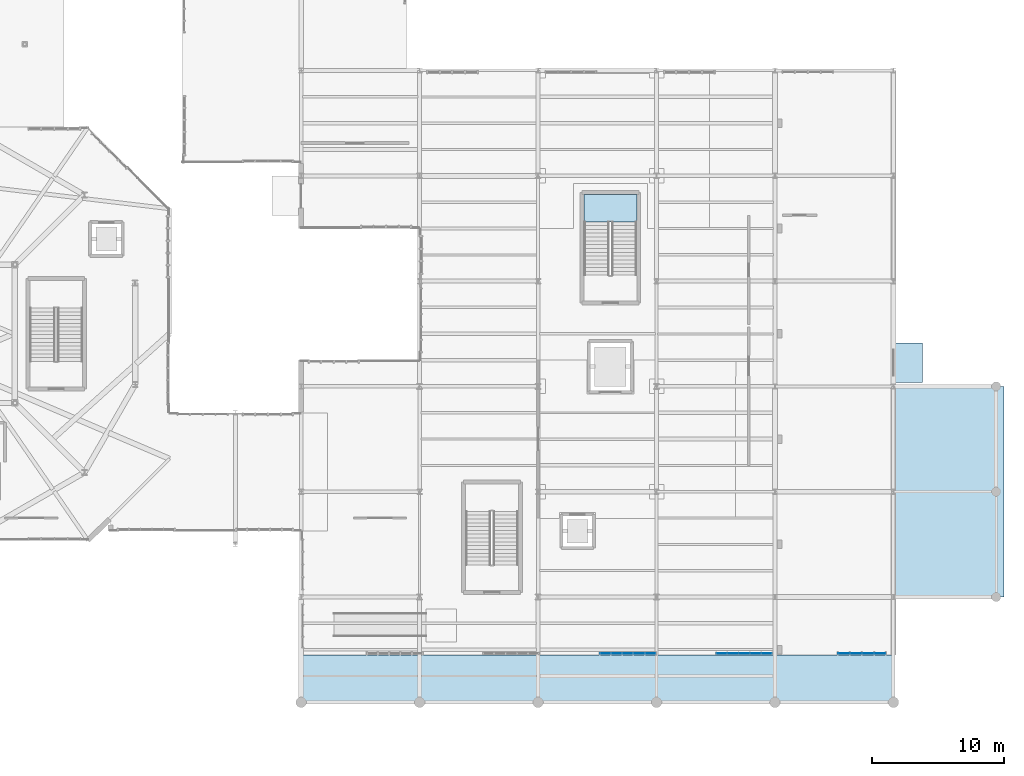
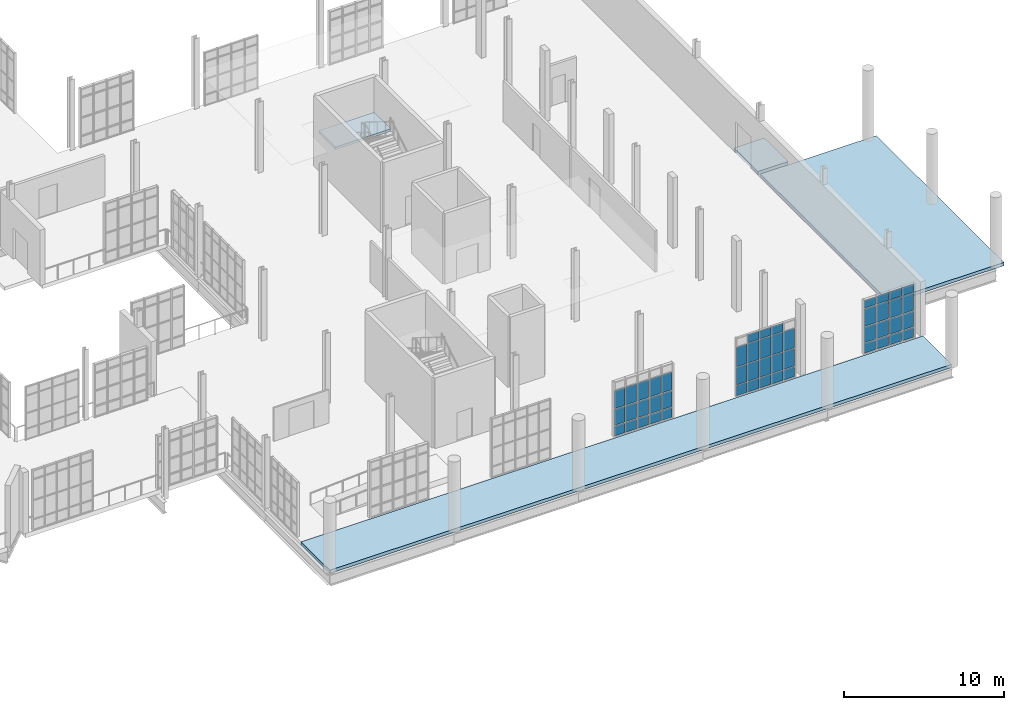
# One storey, part 163 of 189: 49 plates, 4 slabs, 4 elements without a shape of their own.
"""IFC4 building model written with IfcOpenShell, lengths in metres."""

from ifc_helpers import new_model, si_unit, direction, frame, origin, origin_2d, place, context, subcontext, project, spatial, polyline, rectangle, outline, extrude, material, layer, layer_set, type_object, element, aggregate, save


model = new_model("IFC4")

# Units and contexts
model_context = context("Model", 3, precision=1e-05, world=origin(), true_north=direction((0.0, 1.0)))
body_context = subcontext(model_context, "Body", "Model", "MODEL_VIEW")
ifc_project = project(units=[si_unit("LENGTHUNIT", "METRE"), si_unit("AREAUNIT", "SQUARE_METRE"), si_unit("VOLUMEUNIT", "CUBIC_METRE"), si_unit("PLANEANGLEUNIT", "RADIAN"), si_unit("MASSUNIT", "GRAM", prefix="KILO"), si_unit("THERMODYNAMICTEMPERATUREUNIT", "KELVIN"), si_unit("POWERUNIT", "WATT")], contexts=[model_context])

# Site, building, storey
site_placement = place(None, origin())
site = spatial("IfcSite", under=ifc_project, at=site_placement, CompositionType="ELEMENT")
building_placement = place(site_placement, origin())
building = spatial("IfcBuilding", under=site, at=building_placement, Name="Zelmaris Science Centre", CompositionType="ELEMENT")
storey_placement = place(building_placement, origin())
storey = spatial("IfcBuildingStorey", under=building, at=storey_placement, Name="L00", CompositionType="ELEMENT", Elevation=0.0)

# Curtain wall, plates
ifc_material_1 = material(Name="Anodised architectural aluminium 6063-T6", Category="aluminium")
ifc_layer_1 = layer(ifc_material_1, 0.18994140625, Name="Anodised architectural aluminium 6063-T6")
ifc_layer_set_1 = layer_set([ifc_layer_1], Name="Anodised architectural aluminium 6063-T6")
curtain_wall_type_1 = type_object("IfcCurtainWallType", Name="Curtain Wall CW-01", PredefinedType="USERDEFINED", material=ifc_layer_set_1)
curtain_wall_1_placement = place(storey_placement, origin())
curtain_wall_1 = element("IfcCurtainWall", 1, at=curtain_wall_1_placement, inside=storey, type_object=curtain_wall_type_1, Name="L00 Unitised curtain wall 101", ObjectType="GLAZED CURTAIN WALL", PredefinedType="USERDEFINED")
ifc_material_2 = material(Name="Laminated hurricane-rated low-E insulated glazing", Category="glass")
ifc_layer_2 = layer(ifc_material_2, 0.031982421875, Name="Laminated hurricane-rated low-E insulated glazing")
ifc_layer_set_2 = layer_set([ifc_layer_2], Name="Laminated hurricane-rated low-E insulated glazing")
plate_type_1 = type_object("IfcPlateType", Name="Curtain Glazing Panel CWP-1 32mm", PredefinedType="CURTAIN_PANEL", material=ifc_layer_set_2)
plate_1_placement = place(storey_placement, frame((151.976318359375, 11.72021484375, 0.05712890625), z_axis=(0.0, 0.0, 1.0), x_axis=(-1.0, 0.0, 0.0)))
plate_1 = element("IfcPlate", 2, at=plate_1_placement, type_object=plate_type_1, Name="CW-01 panel 1.1", PredefinedType="CURTAIN_PANEL", context=body_context, shape_type="SweptSolid", body=[
    extrude(rectangle(XDim=0.8232421875, YDim=0.031982421875, at=origin_2d()), origin(), (0.0, 0.0, 1.0), 0.741943359375),
])
plate_2_placement = place(storey_placement, frame((151.976318359375, 11.72021484375, 0.87109375), z_axis=(0.0, 0.0, 1.0), x_axis=(-1.0, 0.0, 0.0)))
plate_2 = element("IfcPlate", 3, at=plate_2_placement, type_object=plate_type_1, Name="CW-01 panel 1.2", PredefinedType="CURTAIN_PANEL", context=body_context, shape_type="SweptSolid", body=[
    extrude(rectangle(XDim=0.8232421875, YDim=0.031982421875, at=origin_2d()), origin(), (0.0, 0.0, 1.0), 1.16845703125),
])
plate_3_placement = place(storey_placement, frame((151.976318359375, 11.72021484375, 2.111328125), z_axis=(0.0, 0.0, 1.0), x_axis=(-1.0, 0.0, 0.0)))
plate_3 = element("IfcPlate", 4, at=plate_3_placement, type_object=plate_type_1, Name="CW-01 panel 1.3", PredefinedType="CURTAIN_PANEL", context=body_context, shape_type="SweptSolid", body=[
    extrude(rectangle(XDim=0.8232421875, YDim=0.031982421875, at=origin_2d()), origin(), (0.0, 0.0, 1.0), 1.318603515625),
])
plate_4_placement = place(storey_placement, frame((151.976318359375, 11.72021484375, 3.501953125), z_axis=(0.0, 0.0, 1.0), x_axis=(-1.0, 0.0, 0.0)))
plate_4 = element("IfcPlate", 5, at=plate_4_placement, type_object=plate_type_1, Name="CW-01 panel 1.4", PredefinedType="CURTAIN_PANEL", context=body_context, shape_type="SweptSolid", body=[
    extrude(rectangle(XDim=0.8232421875, YDim=0.031982421875, at=origin_2d()), origin(), (0.0, 0.0, 1.0), 0.592041015625),
])
plate_5_placement = place(storey_placement, frame((151.06298828125, 11.72021484375, 0.05712890625), z_axis=(0.0, 0.0, 1.0), x_axis=(-1.0, 0.0, 0.0)))
plate_5 = element("IfcPlate", 6, at=plate_5_placement, type_object=plate_type_1, Name="CW-01 panel 2.1", PredefinedType="CURTAIN_PANEL", context=body_context, shape_type="SweptSolid", body=[
    extrude(rectangle(XDim=0.859130859375, YDim=0.031982421875, at=origin_2d()), origin(), (0.0, 0.0, 1.0), 0.741943359375),
])
plate_6_placement = place(storey_placement, frame((151.06298828125, 11.72021484375, 0.87109375), z_axis=(0.0, 0.0, 1.0), x_axis=(-1.0, 0.0, 0.0)))
plate_6 = element("IfcPlate", 7, at=plate_6_placement, type_object=plate_type_1, Name="CW-01 panel 2.2", PredefinedType="CURTAIN_PANEL", context=body_context, shape_type="SweptSolid", body=[
    extrude(rectangle(XDim=0.859130859375, YDim=0.031982421875, at=origin_2d()), origin(), (0.0, 0.0, 1.0), 1.16845703125),
])
plate_7_placement = place(storey_placement, frame((151.06298828125, 11.72021484375, 2.111328125), z_axis=(0.0, 0.0, 1.0), x_axis=(-1.0, 0.0, 0.0)))
plate_7 = element("IfcPlate", 8, at=plate_7_placement, type_object=plate_type_1, Name="CW-01 panel 2.3", PredefinedType="CURTAIN_PANEL", context=body_context, shape_type="SweptSolid", body=[
    extrude(rectangle(XDim=0.859130859375, YDim=0.031982421875, at=origin_2d()), origin(), (0.0, 0.0, 1.0), 1.318603515625),
])
plate_8_placement = place(storey_placement, frame((151.06298828125, 11.72021484375, 3.501953125), z_axis=(0.0, 0.0, 1.0), x_axis=(-1.0, 0.0, 0.0)))
plate_8 = element("IfcPlate", 9, at=plate_8_placement, type_object=plate_type_1, Name="CW-01 panel 2.4", PredefinedType="CURTAIN_PANEL", context=body_context, shape_type="SweptSolid", body=[
    extrude(rectangle(XDim=0.859130859375, YDim=0.031982421875, at=origin_2d()), origin(), (0.0, 0.0, 1.0), 0.592041015625),
])
plate_9_placement = place(storey_placement, frame((150.1318359375, 11.72021484375, 0.05712890625), z_axis=(0.0, 0.0, 1.0), x_axis=(-1.0, 0.0, 0.0)))
plate_9 = element("IfcPlate", 10, at=plate_9_placement, type_object=plate_type_1, Name="CW-01 panel 3.1", PredefinedType="CURTAIN_PANEL", context=body_context, shape_type="SweptSolid", body=[
    extrude(rectangle(XDim=0.859130859375, YDim=0.031982421875, at=origin_2d()), origin(), (0.0, 0.0, 1.0), 0.741943359375),
])
plate_10_placement = place(storey_placement, frame((150.1318359375, 11.72021484375, 0.87109375), z_axis=(0.0, 0.0, 1.0), x_axis=(-1.0, 0.0, 0.0)))
plate_10 = element("IfcPlate", 11, at=plate_10_placement, type_object=plate_type_1, Name="CW-01 panel 3.2", PredefinedType="CURTAIN_PANEL", context=body_context, shape_type="SweptSolid", body=[
    extrude(rectangle(XDim=0.859130859375, YDim=0.031982421875, at=origin_2d()), origin(), (0.0, 0.0, 1.0), 1.16845703125),
])
plate_11_placement = place(storey_placement, frame((150.1318359375, 11.72021484375, 2.111328125), z_axis=(0.0, 0.0, 1.0), x_axis=(-1.0, 0.0, 0.0)))
plate_11 = element("IfcPlate", 12, at=plate_11_placement, type_object=plate_type_1, Name="CW-01 panel 3.3", PredefinedType="CURTAIN_PANEL", context=body_context, shape_type="SweptSolid", body=[
    extrude(rectangle(XDim=0.859130859375, YDim=0.031982421875, at=origin_2d()), origin(), (0.0, 0.0, 1.0), 1.318603515625),
])
plate_12_placement = place(storey_placement, frame((150.1318359375, 11.72021484375, 3.501953125), z_axis=(0.0, 0.0, 1.0), x_axis=(-1.0, 0.0, 0.0)))
plate_12 = element("IfcPlate", 13, at=plate_12_placement, type_object=plate_type_1, Name="CW-01 panel 3.4", PredefinedType="CURTAIN_PANEL", context=body_context, shape_type="SweptSolid", body=[
    extrude(rectangle(XDim=0.859130859375, YDim=0.031982421875, at=origin_2d()), origin(), (0.0, 0.0, 1.0), 0.592041015625),
])
plate_13_placement = place(storey_placement, frame((149.218505859375, 11.72021484375, 0.05712890625), z_axis=(0.0, 0.0, 1.0), x_axis=(-1.0, 0.0, 0.0)))
plate_13 = element("IfcPlate", 14, at=plate_13_placement, type_object=plate_type_1, Name="CW-01 panel 4.1", PredefinedType="CURTAIN_PANEL", context=body_context, shape_type="SweptSolid", body=[
    extrude(rectangle(XDim=0.8232421875, YDim=0.031982421875, at=origin_2d()), origin(), (0.0, 0.0, 1.0), 0.741943359375),
])
plate_14_placement = place(storey_placement, frame((149.218505859375, 11.72021484375, 0.87109375), z_axis=(0.0, 0.0, 1.0), x_axis=(-1.0, 0.0, 0.0)))
plate_14 = element("IfcPlate", 15, at=plate_14_placement, type_object=plate_type_1, Name="CW-01 panel 4.2", PredefinedType="CURTAIN_PANEL", context=body_context, shape_type="SweptSolid", body=[
    extrude(rectangle(XDim=0.8232421875, YDim=0.031982421875, at=origin_2d()), origin(), (0.0, 0.0, 1.0), 1.16845703125),
])
plate_15_placement = place(storey_placement, frame((149.218505859375, 11.72021484375, 2.111328125), z_axis=(0.0, 0.0, 1.0), x_axis=(-1.0, 0.0, 0.0)))
plate_15 = element("IfcPlate", 16, at=plate_15_placement, type_object=plate_type_1, Name="CW-01 panel 4.3", PredefinedType="CURTAIN_PANEL", context=body_context, shape_type="SweptSolid", body=[
    extrude(rectangle(XDim=0.8232421875, YDim=0.031982421875, at=origin_2d()), origin(), (0.0, 0.0, 1.0), 1.318603515625),
])
plate_16_placement = place(storey_placement, frame((149.218505859375, 11.72021484375, 3.501953125), z_axis=(0.0, 0.0, 1.0), x_axis=(-1.0, 0.0, 0.0)))
plate_16 = element("IfcPlate", 17, at=plate_16_placement, type_object=plate_type_1, Name="CW-01 panel 4.4", PredefinedType="CURTAIN_PANEL", context=body_context, shape_type="SweptSolid", body=[
    extrude(rectangle(XDim=0.8232421875, YDim=0.031982421875, at=origin_2d()), origin(), (0.0, 0.0, 1.0), 0.592041015625),
])
aggregate(curtain_wall_1, [plate_1, plate_2, plate_3, plate_4, plate_5, plate_6, plate_7, plate_8, plate_9, plate_10, plate_11, plate_12, plate_13, plate_14, plate_15, plate_16])

curtain_wall_2_placement = place(storey_placement, origin())
curtain_wall_2 = element("IfcCurtainWall", 18, at=curtain_wall_2_placement, inside=storey, type_object=curtain_wall_type_1, Name="L00 Unitised curtain wall 105", ObjectType="GLAZED CURTAIN WALL", PredefinedType="USERDEFINED")
plate_17_placement = place(storey_placement, frame((134.51416015625, 11.72021484375, 0.05712890625), z_axis=(0.0, 0.0, 1.0), x_axis=(-1.0, 0.0, 0.0)))
plate_17 = element("IfcPlate", 19, at=plate_17_placement, type_object=plate_type_1, Name="CW-01 panel 1.1", PredefinedType="CURTAIN_PANEL", context=body_context, shape_type="SweptSolid", body=[
    extrude(rectangle(XDim=0.752685546875, YDim=0.031982421875, at=origin_2d()), origin(), (0.0, 0.0, 1.0), 0.741943359375),
])
plate_18_placement = place(storey_placement, frame((134.51416015625, 11.72021484375, 0.87109375), z_axis=(0.0, 0.0, 1.0), x_axis=(-1.0, 0.0, 0.0)))
plate_18 = element("IfcPlate", 20, at=plate_18_placement, type_object=plate_type_1, Name="CW-01 panel 1.2", PredefinedType="CURTAIN_PANEL", context=body_context, shape_type="SweptSolid", body=[
    extrude(rectangle(XDim=0.752685546875, YDim=0.031982421875, at=origin_2d()), origin(), (0.0, 0.0, 1.0), 1.20751953125),
])
plate_19_placement = place(storey_placement, frame((134.51416015625, 11.72021484375, 2.150634765625), z_axis=(0.0, 0.0, 1.0), x_axis=(-1.0, 0.0, 0.0)))
plate_19 = element("IfcPlate", 21, at=plate_19_placement, type_object=plate_type_1, Name="CW-01 panel 1.3", PredefinedType="CURTAIN_PANEL", context=body_context, shape_type="SweptSolid", body=[
    extrude(rectangle(XDim=0.752685546875, YDim=0.031982421875, at=origin_2d()), origin(), (0.0, 0.0, 1.0), 1.357421875),
])
plate_20_placement = place(storey_placement, frame((133.67138671875, 11.72021484375, 0.05712890625), z_axis=(0.0, 0.0, 1.0), x_axis=(-1.0, 0.0, 0.0)))
plate_20 = element("IfcPlate", 22, at=plate_20_placement, type_object=plate_type_1, Name="CW-01 panel 2.1", PredefinedType="CURTAIN_PANEL", context=body_context, shape_type="SweptSolid", body=[
    extrude(rectangle(XDim=0.788818359375, YDim=0.031982421875, at=origin_2d()), origin(), (0.0, 0.0, 1.0), 0.741943359375),
])
plate_21_placement = place(storey_placement, frame((133.67138671875, 11.72021484375, 0.87109375), z_axis=(0.0, 0.0, 1.0), x_axis=(-1.0, 0.0, 0.0)))
plate_21 = element("IfcPlate", 23, at=plate_21_placement, type_object=plate_type_1, Name="CW-01 panel 2.2", PredefinedType="CURTAIN_PANEL", context=body_context, shape_type="SweptSolid", body=[
    extrude(rectangle(XDim=0.788818359375, YDim=0.031982421875, at=origin_2d()), origin(), (0.0, 0.0, 1.0), 1.20751953125),
])
plate_22_placement = place(storey_placement, frame((133.67138671875, 11.72021484375, 2.150634765625), z_axis=(0.0, 0.0, 1.0), x_axis=(-1.0, 0.0, 0.0)))
plate_22 = element("IfcPlate", 24, at=plate_22_placement, type_object=plate_type_1, Name="CW-01 panel 2.3", PredefinedType="CURTAIN_PANEL", context=body_context, shape_type="SweptSolid", body=[
    extrude(rectangle(XDim=0.788818359375, YDim=0.031982421875, at=origin_2d()), origin(), (0.0, 0.0, 1.0), 1.357421875),
])
plate_23_placement = place(storey_placement, frame((132.810546875, 11.72021484375, 0.05712890625), z_axis=(0.0, 0.0, 1.0), x_axis=(-1.0, 0.0, 0.0)))
plate_23 = element("IfcPlate", 25, at=plate_23_placement, type_object=plate_type_1, Name="CW-01 panel 3.1", PredefinedType="CURTAIN_PANEL", context=body_context, shape_type="SweptSolid", body=[
    extrude(rectangle(XDim=0.788818359375, YDim=0.031982421875, at=origin_2d()), origin(), (0.0, 0.0, 1.0), 0.741943359375),
])
plate_24_placement = place(storey_placement, frame((132.810546875, 11.72021484375, 0.87109375), z_axis=(0.0, 0.0, 1.0), x_axis=(-1.0, 0.0, 0.0)))
plate_24 = element("IfcPlate", 26, at=plate_24_placement, type_object=plate_type_1, Name="CW-01 panel 3.2", PredefinedType="CURTAIN_PANEL", context=body_context, shape_type="SweptSolid", body=[
    extrude(rectangle(XDim=0.788818359375, YDim=0.031982421875, at=origin_2d()), origin(), (0.0, 0.0, 1.0), 1.20751953125),
])
plate_25_placement = place(storey_placement, frame((132.810546875, 11.72021484375, 2.150634765625), z_axis=(0.0, 0.0, 1.0), x_axis=(-1.0, 0.0, 0.0)))
plate_25 = element("IfcPlate", 27, at=plate_25_placement, type_object=plate_type_1, Name="CW-01 panel 3.3", PredefinedType="CURTAIN_PANEL", context=body_context, shape_type="SweptSolid", body=[
    extrude(rectangle(XDim=0.788818359375, YDim=0.031982421875, at=origin_2d()), origin(), (0.0, 0.0, 1.0), 1.357421875),
])
plate_26_placement = place(storey_placement, frame((131.949951171875, 11.72021484375, 0.05712890625), z_axis=(0.0, 0.0, 1.0), x_axis=(-1.0, 0.0, 0.0)))
plate_26 = element("IfcPlate", 28, at=plate_26_placement, type_object=plate_type_1, Name="CW-01 panel 4.1", PredefinedType="CURTAIN_PANEL", context=body_context, shape_type="SweptSolid", body=[
    extrude(rectangle(XDim=0.788818359375, YDim=0.031982421875, at=origin_2d()), origin(), (0.0, 0.0, 1.0), 0.741943359375),
])
plate_27_placement = place(storey_placement, frame((131.949951171875, 11.72021484375, 0.87109375), z_axis=(0.0, 0.0, 1.0), x_axis=(-1.0, 0.0, 0.0)))
plate_27 = element("IfcPlate", 29, at=plate_27_placement, type_object=plate_type_1, Name="CW-01 panel 4.2", PredefinedType="CURTAIN_PANEL", context=body_context, shape_type="SweptSolid", body=[
    extrude(rectangle(XDim=0.788818359375, YDim=0.031982421875, at=origin_2d()), origin(), (0.0, 0.0, 1.0), 1.20751953125),
])
plate_28_placement = place(storey_placement, frame((131.949951171875, 11.72021484375, 2.150634765625), z_axis=(0.0, 0.0, 1.0), x_axis=(-1.0, 0.0, 0.0)))
plate_28 = element("IfcPlate", 30, at=plate_28_placement, type_object=plate_type_1, Name="CW-01 panel 4.3", PredefinedType="CURTAIN_PANEL", context=body_context, shape_type="SweptSolid", body=[
    extrude(rectangle(XDim=0.788818359375, YDim=0.031982421875, at=origin_2d()), origin(), (0.0, 0.0, 1.0), 1.357421875),
])
plate_29_placement = place(storey_placement, frame((131.107177734375, 11.72021484375, 0.05712890625), z_axis=(0.0, 0.0, 1.0), x_axis=(-1.0, 0.0, 0.0)))
plate_29 = element("IfcPlate", 31, at=plate_29_placement, type_object=plate_type_1, Name="CW-01 panel 5.1", PredefinedType="CURTAIN_PANEL", context=body_context, shape_type="SweptSolid", body=[
    extrude(rectangle(XDim=0.752685546875, YDim=0.031982421875, at=origin_2d()), origin(), (0.0, 0.0, 1.0), 0.741943359375),
])
plate_30_placement = place(storey_placement, frame((131.107177734375, 11.72021484375, 0.87109375), z_axis=(0.0, 0.0, 1.0), x_axis=(-1.0, 0.0, 0.0)))
plate_30 = element("IfcPlate", 32, at=plate_30_placement, type_object=plate_type_1, Name="CW-01 panel 5.2", PredefinedType="CURTAIN_PANEL", context=body_context, shape_type="SweptSolid", body=[
    extrude(rectangle(XDim=0.752685546875, YDim=0.031982421875, at=origin_2d()), origin(), (0.0, 0.0, 1.0), 1.20751953125),
])
plate_31_placement = place(storey_placement, frame((131.107177734375, 11.72021484375, 2.150634765625), z_axis=(0.0, 0.0, 1.0), x_axis=(-1.0, 0.0, 0.0)))
plate_31 = element("IfcPlate", 33, at=plate_31_placement, type_object=plate_type_1, Name="CW-01 panel 5.3", PredefinedType="CURTAIN_PANEL", context=body_context, shape_type="SweptSolid", body=[
    extrude(rectangle(XDim=0.752685546875, YDim=0.031982421875, at=origin_2d()), origin(), (0.0, 0.0, 1.0), 1.357421875),
])
aggregate(curtain_wall_2, [plate_17, plate_18, plate_19, plate_20, plate_21, plate_22, plate_23, plate_24, plate_25, plate_26, plate_27, plate_28, plate_29, plate_30, plate_31])

ifc_layer_3 = layer(ifc_material_1, 0.2099609375, Name="Anodised architectural aluminium 6063-T6")
ifc_layer_set_3 = layer_set([ifc_layer_3], Name="Anodised architectural aluminium 6063-T6")
curtain_wall_type_2 = type_object("IfcCurtainWallType", Name="Curtain Wall CW-03", PredefinedType="USERDEFINED", material=ifc_layer_set_3)
curtain_wall_3_placement = place(storey_placement, origin())
curtain_wall_3 = element("IfcCurtainWall", 34, at=curtain_wall_3_placement, inside=storey, type_object=curtain_wall_type_2, Name="L00 Unitised curtain wall 103", ObjectType="GLAZED CURTAIN WALL", PredefinedType="USERDEFINED")
ifc_layer_4 = layer(ifc_material_2, 0.02587890625, Name="Laminated hurricane-rated low-E insulated glazing")
ifc_layer_set_4 = layer_set([ifc_layer_4], Name="Laminated hurricane-rated low-E insulated glazing")
plate_type_2 = type_object("IfcPlateType", Name="Curtain Glazing Panel CWP-3 26mm", PredefinedType="CURTAIN_PANEL", material=ifc_layer_set_4)
plate_32_placement = place(storey_placement, frame((143.365478515625, 11.72021484375, 0.0419921875), z_axis=(0.0, 0.0, 1.0), x_axis=(-1.0, 0.0, 0.0)))
plate_32 = element("IfcPlate", 35, at=plate_32_placement, type_object=plate_type_2, Name="CW-03 panel 1.1", PredefinedType="CURTAIN_PANEL", context=body_context, shape_type="SweptSolid", body=[
    extrude(rectangle(XDim=0.775146484375, YDim=0.02587890625, at=origin_2d()), origin(), (0.0, 0.0, 1.0), 0.764404296875),
])
plate_33_placement = place(storey_placement, frame((143.365478515625, 11.72021484375, 0.863525390625), z_axis=(0.0, 0.0, 1.0), x_axis=(-1.0, 0.0, 0.0)))
plate_33 = element("IfcPlate", 36, at=plate_33_placement, type_object=plate_type_2, Name="CW-03 panel 1.2", PredefinedType="CURTAIN_PANEL", context=body_context, shape_type="SweptSolid", body=[
    extrude(rectangle(XDim=0.775146484375, YDim=0.02587890625, at=origin_2d()), origin(), (0.0, 0.0, 1.0), 1.3369140625),
])
plate_34_placement = place(storey_placement, frame((143.365478515625, 11.72021484375, 2.25732421875), z_axis=(0.0, 0.0, 1.0), x_axis=(-1.0, 0.0, 0.0)))
plate_34 = element("IfcPlate", 37, at=plate_34_placement, type_object=plate_type_2, Name="CW-03 panel 1.3", PredefinedType="CURTAIN_PANEL", context=body_context, shape_type="SweptSolid", body=[
    extrude(rectangle(XDim=0.775146484375, YDim=0.02587890625, at=origin_2d()), origin(), (0.0, 0.0, 1.0), 1.487060546875),
])
plate_35_placement = place(storey_placement, frame((142.518798828125, 11.72021484375, 0.0419921875), z_axis=(0.0, 0.0, 1.0), x_axis=(-1.0, 0.0, 0.0)))
plate_35 = element("IfcPlate", 38, at=plate_35_placement, type_object=plate_type_2, Name="CW-03 panel 2.1", PredefinedType="CURTAIN_PANEL", context=body_context, shape_type="SweptSolid", body=[
    extrude(rectangle(XDim=0.8037109375, YDim=0.02587890625, at=origin_2d()), origin(), (0.0, 0.0, 1.0), 0.764404296875),
])
plate_36_placement = place(storey_placement, frame((142.518798828125, 11.72021484375, 0.863525390625), z_axis=(0.0, 0.0, 1.0), x_axis=(-1.0, 0.0, 0.0)))
plate_36 = element("IfcPlate", 39, at=plate_36_placement, type_object=plate_type_2, Name="CW-03 panel 2.2", PredefinedType="CURTAIN_PANEL", context=body_context, shape_type="SweptSolid", body=[
    extrude(rectangle(XDim=0.8037109375, YDim=0.02587890625, at=origin_2d()), origin(), (0.0, 0.0, 1.0), 1.3369140625),
])
plate_37_placement = place(storey_placement, frame((142.518798828125, 11.72021484375, 2.25732421875), z_axis=(0.0, 0.0, 1.0), x_axis=(-1.0, 0.0, 0.0)))
plate_37 = element("IfcPlate", 40, at=plate_37_placement, type_object=plate_type_2, Name="CW-03 panel 2.3", PredefinedType="CURTAIN_PANEL", context=body_context, shape_type="SweptSolid", body=[
    extrude(rectangle(XDim=0.8037109375, YDim=0.02587890625, at=origin_2d()), origin(), (0.0, 0.0, 1.0), 1.487060546875),
])
plate_38_placement = place(storey_placement, frame((142.518798828125, 11.72021484375, 3.80126953125), z_axis=(0.0, 0.0, 1.0), x_axis=(-1.0, 0.0, 0.0)))
plate_38 = element("IfcPlate", 41, at=plate_38_placement, type_object=plate_type_2, Name="CW-03 panel 2.4", PredefinedType="CURTAIN_PANEL", context=body_context, shape_type="SweptSolid", body=[
    extrude(rectangle(XDim=0.8037109375, YDim=0.02587890625, at=origin_2d()), origin(), (0.0, 0.0, 1.0), 0.614501953125),
])
plate_39_placement = place(storey_placement, frame((141.658203125, 11.72021484375, 0.0419921875), z_axis=(0.0, 0.0, 1.0), x_axis=(-1.0, 0.0, 0.0)))
plate_39 = element("IfcPlate", 42, at=plate_39_placement, type_object=plate_type_2, Name="CW-03 panel 3.1", PredefinedType="CURTAIN_PANEL", context=body_context, shape_type="SweptSolid", body=[
    extrude(rectangle(XDim=0.8037109375, YDim=0.02587890625, at=origin_2d()), origin(), (0.0, 0.0, 1.0), 0.764404296875),
])
plate_40_placement = place(storey_placement, frame((141.658203125, 11.72021484375, 0.863525390625), z_axis=(0.0, 0.0, 1.0), x_axis=(-1.0, 0.0, 0.0)))
plate_40 = element("IfcPlate", 43, at=plate_40_placement, type_object=plate_type_2, Name="CW-03 panel 3.2", PredefinedType="CURTAIN_PANEL", context=body_context, shape_type="SweptSolid", body=[
    extrude(rectangle(XDim=0.8037109375, YDim=0.02587890625, at=origin_2d()), origin(), (0.0, 0.0, 1.0), 1.3369140625),
])
plate_41_placement = place(storey_placement, frame((141.658203125, 11.72021484375, 2.25732421875), z_axis=(0.0, 0.0, 1.0), x_axis=(-1.0, 0.0, 0.0)))
plate_41 = element("IfcPlate", 44, at=plate_41_placement, type_object=plate_type_2, Name="CW-03 panel 3.3", PredefinedType="CURTAIN_PANEL", context=body_context, shape_type="SweptSolid", body=[
    extrude(rectangle(XDim=0.8037109375, YDim=0.02587890625, at=origin_2d()), origin(), (0.0, 0.0, 1.0), 1.487060546875),
])
plate_42_placement = place(storey_placement, frame((141.658203125, 11.72021484375, 3.80126953125), z_axis=(0.0, 0.0, 1.0), x_axis=(-1.0, 0.0, 0.0)))
plate_42 = element("IfcPlate", 45, at=plate_42_placement, type_object=plate_type_2, Name="CW-03 panel 3.4", PredefinedType="CURTAIN_PANEL", context=body_context, shape_type="SweptSolid", body=[
    extrude(rectangle(XDim=0.8037109375, YDim=0.02587890625, at=origin_2d()), origin(), (0.0, 0.0, 1.0), 0.614501953125),
])
plate_43_placement = place(storey_placement, frame((140.79736328125, 11.72021484375, 0.0419921875), z_axis=(0.0, 0.0, 1.0), x_axis=(-1.0, 0.0, 0.0)))
plate_43 = element("IfcPlate", 46, at=plate_43_placement, type_object=plate_type_2, Name="CW-03 panel 4.1", PredefinedType="CURTAIN_PANEL", context=body_context, shape_type="SweptSolid", body=[
    extrude(rectangle(XDim=0.8037109375, YDim=0.02587890625, at=origin_2d()), origin(), (0.0, 0.0, 1.0), 0.764404296875),
])
plate_44_placement = place(storey_placement, frame((140.79736328125, 11.72021484375, 0.863525390625), z_axis=(0.0, 0.0, 1.0), x_axis=(-1.0, 0.0, 0.0)))
plate_44 = element("IfcPlate", 47, at=plate_44_placement, type_object=plate_type_2, Name="CW-03 panel 4.2", PredefinedType="CURTAIN_PANEL", context=body_context, shape_type="SweptSolid", body=[
    extrude(rectangle(XDim=0.8037109375, YDim=0.02587890625, at=origin_2d()), origin(), (0.0, 0.0, 1.0), 1.3369140625),
])
plate_45_placement = place(storey_placement, frame((140.79736328125, 11.72021484375, 2.25732421875), z_axis=(0.0, 0.0, 1.0), x_axis=(-1.0, 0.0, 0.0)))
plate_45 = element("IfcPlate", 48, at=plate_45_placement, type_object=plate_type_2, Name="CW-03 panel 4.3", PredefinedType="CURTAIN_PANEL", context=body_context, shape_type="SweptSolid", body=[
    extrude(rectangle(XDim=0.8037109375, YDim=0.02587890625, at=origin_2d()), origin(), (0.0, 0.0, 1.0), 1.487060546875),
])
plate_46_placement = place(storey_placement, frame((140.79736328125, 11.72021484375, 3.80126953125), z_axis=(0.0, 0.0, 1.0), x_axis=(-1.0, 0.0, 0.0)))
plate_46 = element("IfcPlate", 49, at=plate_46_placement, type_object=plate_type_2, Name="CW-03 panel 4.4", PredefinedType="CURTAIN_PANEL", context=body_context, shape_type="SweptSolid", body=[
    extrude(rectangle(XDim=0.8037109375, YDim=0.02587890625, at=origin_2d()), origin(), (0.0, 0.0, 1.0), 0.614501953125),
])
plate_47_placement = place(storey_placement, frame((139.950927734375, 11.72021484375, 0.0419921875), z_axis=(0.0, 0.0, 1.0), x_axis=(-1.0, 0.0, 0.0)))
plate_47 = element("IfcPlate", 50, at=plate_47_placement, type_object=plate_type_2, Name="CW-03 panel 5.1", PredefinedType="CURTAIN_PANEL", context=body_context, shape_type="SweptSolid", body=[
    extrude(rectangle(XDim=0.775146484375, YDim=0.02587890625, at=origin_2d()), origin(), (0.0, 0.0, 1.0), 0.764404296875),
])
plate_48_placement = place(storey_placement, frame((139.950927734375, 11.72021484375, 0.863525390625), z_axis=(0.0, 0.0, 1.0), x_axis=(-1.0, 0.0, 0.0)))
plate_48 = element("IfcPlate", 51, at=plate_48_placement, type_object=plate_type_2, Name="CW-03 panel 5.2", PredefinedType="CURTAIN_PANEL", context=body_context, shape_type="SweptSolid", body=[
    extrude(rectangle(XDim=0.775146484375, YDim=0.02587890625, at=origin_2d()), origin(), (0.0, 0.0, 1.0), 1.3369140625),
])
plate_49_placement = place(storey_placement, frame((139.950927734375, 11.72021484375, 2.25732421875), z_axis=(0.0, 0.0, 1.0), x_axis=(-1.0, 0.0, 0.0)))
plate_49 = element("IfcPlate", 52, at=plate_49_placement, type_object=plate_type_2, Name="CW-03 panel 5.3", PredefinedType="CURTAIN_PANEL", context=body_context, shape_type="SweptSolid", body=[
    extrude(rectangle(XDim=0.775146484375, YDim=0.02587890625, at=origin_2d()), origin(), (0.0, 0.0, 1.0), 1.487060546875),
])
aggregate(curtain_wall_3, [plate_32, plate_33, plate_34, plate_35, plate_36, plate_37, plate_38, plate_39, plate_40, plate_41, plate_42, plate_43, plate_44, plate_45, plate_46, plate_47, plate_48, plate_49])

# Stair, slab
ifc_material_3 = material(Name="Concrete C40/50", Category="concrete")
stair_type = type_object("IfcStairType", Name="Exit Stair ST-A W1900", PredefinedType="HALF_TURN_STAIR", material=ifc_material_3)
stair_placement = place(storey_placement, origin())
stair = element("IfcStair", 53, at=stair_placement, inside=storey, type_object=stair_type, Name="L00 Exit Stair Core ST-5", PredefinedType="HALF_TURN_STAIR")
ifc_material_4 = material(Name="Concrete C35/45", Category="concrete")
ifc_layer_5 = layer(ifc_material_4, 0.18994140625, Name="Concrete C35/45")
ifc_layer_set_5 = layer_set([ifc_layer_5], Name="Concrete C35/45")
slab_type_1 = type_object("IfcSlabType", Name="Slab SL-LD190 190mm", PredefinedType="LANDING", material=ifc_layer_set_5)
slab_1_placement = place(storey_placement, frame((0.0, 0.0, 2.510009765625)))
slab_1 = element("IfcSlab", 54, at=slab_1_placement, type_object=slab_type_1, Name="ST-5 landing 1", PredefinedType="LANDING", context=body_context, shape_type="SweptSolid", body=[
    extrude(outline(polyline([(133.5, 44.510009765625), (133.5, 46.60009765625), (129.5, 46.60009765625), (129.5, 44.510009765625), (133.5, 44.510009765625)])), origin(), (0.0, 0.0, 1.0), 0.18994140625),
])
aggregate(stair, [slab_1])

# Slabs
ifc_layer_6 = layer(ifc_material_3, 0.25, Name="Concrete C40/50")
ifc_layer_set_6 = layer_set([ifc_layer_6], Name="Concrete C40/50")
slab_type_2 = type_object("IfcSlabType", Name="Slab SL-TR250 250mm", PredefinedType="FLOOR", material=ifc_layer_set_6)
slab_2_placement = place(storey_placement, frame((0.0, 0.0, -0.25)))
element("IfcSlab", 55, at=slab_2_placement, inside=storey, type_object=slab_type_2, Name="L00 South avenue limestone portales deck", PredefinedType="FLOOR", context=body_context, shape_type="SweptSolid", body=[
    extrude(outline(polyline([(153.0, 8.0), (108.0, 8.0), (108.0, 11.590087890625), (153.0, 11.590087890625), (153.0, 8.0)])), origin(), (0.0, 0.0, 1.0), 0.25),
])
slab_3_placement = place(storey_placement, frame((0.0, 0.0, -0.25)))
element("IfcSlab", 56, at=slab_3_placement, inside=storey, type_object=slab_type_2, Name="L00 East loading and science park colonnade apron", PredefinedType="FLOOR", context=body_context, shape_type="SweptSolid", body=[
    extrude(outline(polyline([(161.39990234375, 32.0), (161.39990234375, 16.0), (153.010009765625, 16.0), (153.010009765625, 32.0), (161.39990234375, 32.0)])), origin(), (0.0, 0.0, 1.0), 0.25),
])
slab_4_placement = place(storey_placement, frame((0.0, 0.0, -0.25)))
element("IfcSlab", 57, at=slab_4_placement, inside=storey, type_object=slab_type_2, Name="L00 Exterior threshold apron 8", PredefinedType="FLOOR", context=body_context, shape_type="SweptSolid", body=[
    extrude(outline(polyline([(155.199951171875, 32.300048828125), (153.010009765625, 32.300048828125), (153.010009765625, 35.300048828125), (155.199951171875, 35.300048828125), (155.199951171875, 32.300048828125)])), origin(), (0.0, 0.0, 1.0), 0.25),
])

save(model, "model.ifc")
